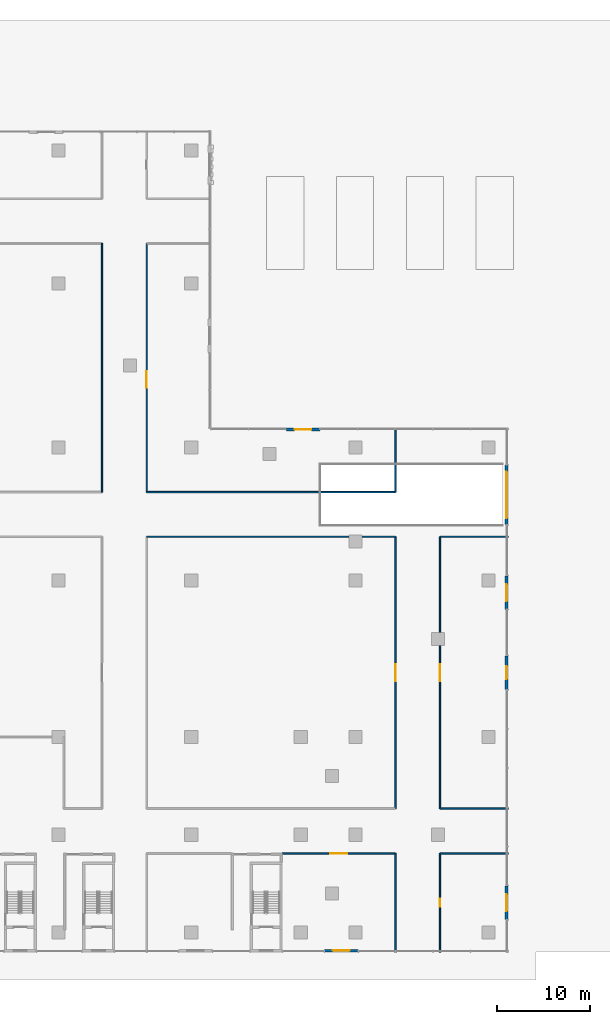
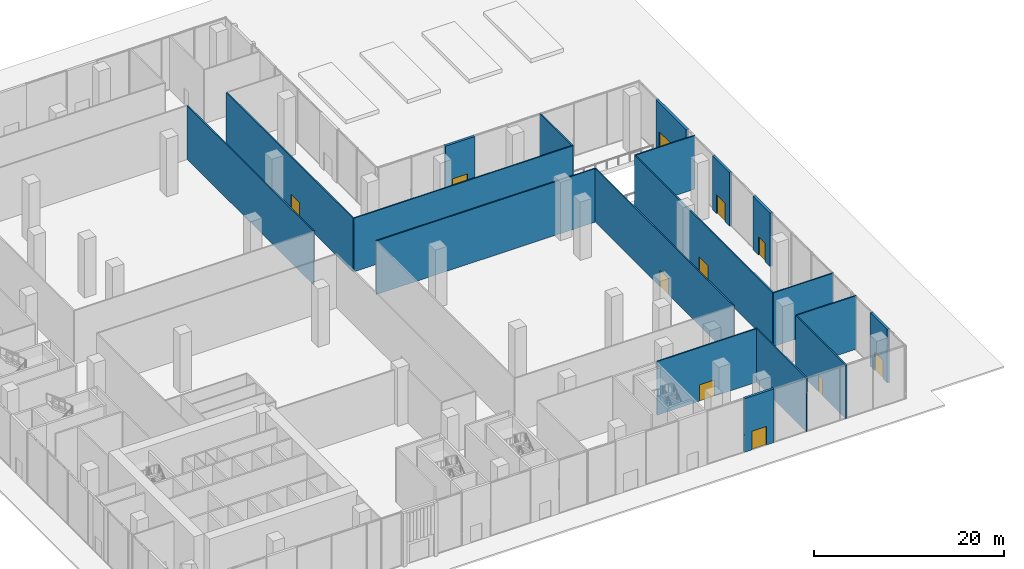
# One storey, part 17 of 26: 19 walls, 11 doors, 11 openings.
"""IFC4 building model written with IfcOpenShell, lengths in metres."""

from ifc_helpers import new_model, si_unit, direction, frame, frame_2d, origin, place, context, subcontext, project, spatial, rectangle, extrude, source, transform, mapped, material, layer, layer_set, type_object, element, fill, save


model = new_model("IFC4")

# Units and contexts
model_context = context("Model", 3, precision=1e-05, world=origin(), true_north=direction((0.0, 1.0)))
body_context = subcontext(model_context, "Body", "Model", "MODEL_VIEW")
ifc_project = project(units=[si_unit("LENGTHUNIT", "METRE"), si_unit("AREAUNIT", "SQUARE_METRE"), si_unit("VOLUMEUNIT", "CUBIC_METRE"), si_unit("PLANEANGLEUNIT", "RADIAN"), si_unit("MASSUNIT", "GRAM", prefix="KILO")], contexts=[model_context])

# Site, building, storey
site_placement = place(None, origin())
site = spatial("IfcSite", under=ifc_project, at=site_placement, CompositionType="ELEMENT")
building_placement = place(site_placement, origin())
building = spatial("IfcBuilding", under=site, at=building_placement, Name="Aurelian Terraces", CompositionType="ELEMENT")
storey_placement = place(building_placement, origin())
storey = spatial("IfcBuildingStorey", under=building, at=storey_placement, Name="L00", CompositionType="ELEMENT", Elevation=0.0)

# Wall, opening, door
ifc_material_1 = material(Name="Terracotta rainscreen cladding", Category="masonry")
ifc_layer_1 = layer(ifc_material_1, 0.3)
ifc_layer_set_1 = layer_set([ifc_layer_1], Name="EW-300")
wall_type_1 = type_object("IfcWallType", Name="EW-300", PredefinedType="STANDARD", material=ifc_layer_set_1)
wall_1_placement = place(storey_placement, frame((85.95, 43.8, 0.0), z_axis=(0.0, 0.0, 1.0), x_axis=(0.0, 1.0, 0.0)))
wall_1 = element("IfcWall", 1, at=wall_1_placement, inside=storey, type_object=wall_type_1, Name="Vehicle entrance wall L00 F02", PredefinedType="STANDARD", context=body_context, shape_type="SweptSolid", body=[
    extrude(rectangle(XDim=6.4, YDim=0.3, at=frame_2d((3.2, 0.0))), origin(), (0.0, 0.0, 1.0), 6.9),
])
opening_1_placement = place(wall_1_placement, frame((0.7, 0.0, 0.0)))
opening_1 = element("IfcOpeningElement", 2, at=opening_1_placement, cuts=wall_1, Name="Opening 80008", PredefinedType="OPENING", context=body_context, shape_type="SweptSolid", body=[
    extrude(rectangle(XDim=5.0, YDim=3.2, at=frame_2d((2.5, 1.6))), frame((0.0, 0.16, 0.0), z_axis=(0.0, -1.0, 0.0), x_axis=(1.0, 0.0, 0.0)), (0.0, 0.0, 1.0), 0.32),
])
ifc_material_2 = material(Name="Galvanised steel roller shutter", Category="steel")
door_type_1 = type_object("IfcDoorType", Name="RS-5000x3200", OperationType="ROLLINGUP", PredefinedType="DOOR", material=ifc_material_2)
door_1_placement = place(opening_1_placement, origin())
door_1 = element("IfcDoor", 3, at=door_1_placement, inside=storey, type_object=door_type_1, Name="Vehicle shutter L00 F02", OperationType="ROLLINGUP", OverallHeight=3.2, OverallWidth=5.0, PredefinedType="DOOR", context=body_context, shape_type="SweptSolid", body=[
    extrude(rectangle(XDim=5.0, YDim=3.2, at=frame_2d((2.5, 1.6))), frame((0.0, 0.025, 0.0), z_axis=(0.0, -1.0, 0.0), x_axis=(1.0, 0.0, 0.0)), (0.0, 0.0, 1.0), 0.05),
])
fill(opening_1, door_1)

ifc_material_3 = material(Name="Gypsum board on steel studs", Category="steel")
ifc_layer_2 = layer(ifc_material_3, 0.15)
ifc_layer_set_2 = layer_set([ifc_layer_2], Name="Special partition 150")
wall_type_2 = type_object("IfcWallType", Name="Special partition 150", PredefinedType="PARTITIONING", material=ifc_layer_set_2)
wall_2_placement = place(storey_placement, frame((61.85, 8.5, 0.0), z_axis=(0.0, 0.0, 1.0), x_axis=(1.0, 0.0, 0.0)))
wall_2 = element("IfcWall", 4, at=wall_2_placement, inside=storey, type_object=wall_type_2, Name="L00 partition W03", PredefinedType="PARTITIONING", context=body_context, shape_type="SweptSolid", body=[
    extrude(rectangle(XDim=12.15, YDim=0.15, at=frame_2d((6.075, 0.0))), origin(), (0.0, 0.0, 1.0), 6.9),
])
shared_shape_1 = source(origin(), body_context, "Body", "SweptSolid", [
    extrude(rectangle(XDim=1.8, YDim=2.1, at=frame_2d((0.9, 1.05))), frame((0.0, 0.085, 0.0), z_axis=(0.0, -1.0, 0.0), x_axis=(1.0, 0.0, 0.0)), (0.0, 0.0, 1.0), 0.17),
])
opening_2_placement = place(wall_2_placement, frame((5.175, 0.0, 0.0)))
opening_2 = element("IfcOpeningElement", 5, at=opening_2_placement, cuts=wall_2, Name="Opening 70302", PredefinedType="OPENING", context=body_context, shape_type="MappedRepresentation", body=[
    mapped(shared_shape_1, transform((0.0, 0.0, 0.0), scale=1.0)),
])
ifc_material_4 = material(Name="Timber door leaf", Category="wood")
door_type_2 = type_object("IfcDoorType", Name="Special double door 1800x2100", OperationType="DOUBLE_DOOR_SINGLE_SWING", PredefinedType="DOOR", material=ifc_material_4)
shared_shape_2 = source(origin(), body_context, "Body", "SweptSolid", [
    extrude(rectangle(XDim=1.8, YDim=2.1, at=frame_2d((0.9, 1.05))), frame((0.0, 0.025, 0.0), z_axis=(0.0, -1.0, 0.0), x_axis=(1.0, 0.0, 0.0)), (0.0, 0.0, 1.0), 0.05),
])
door_2_placement = place(opening_2_placement, origin())
door_2 = element("IfcDoor", 6, at=door_2_placement, inside=storey, type_object=door_type_2, Name="Door 70302", OperationType="DOUBLE_DOOR_SINGLE_SWING", OverallHeight=2.1, OverallWidth=1.8, PredefinedType="DOOR", context=body_context, shape_type="MappedRepresentation", body=[
    mapped(shared_shape_2, transform((0.0, 0.0, 0.0), scale=1.0)),
])
fill(opening_2, door_2)

# Wall
wall_3_placement = place(storey_placement, frame((78.8, 8.5, 0.0), z_axis=(0.0, 0.0, 1.0), x_axis=(1.0, 0.0, 0.0)))
element("IfcWall", 7, at=wall_3_placement, inside=storey, type_object=wall_type_2, Name="L00 partition W04", PredefinedType="PARTITIONING", context=body_context, shape_type="SweptSolid", body=[
    extrude(rectangle(XDim=7.3, YDim=0.15, at=frame_2d((3.65, 0.0))), origin(), (0.0, 0.0, 1.0), 6.9),
])

# Wall, opening, door
shared_shape_3 = source(origin(), body_context, "Body", "SweptSolid", [
    extrude(rectangle(XDim=3.6, YDim=0.3, at=frame_2d((1.8, 0.0))), origin(), (0.0, 0.0, 1.0), 6.9),
])
wall_4_placement = place(storey_placement, frame((66.4, -1.95, 0.0), z_axis=(0.0, 0.0, 1.0), x_axis=(1.0, 0.0, 0.0)))
wall_4 = element("IfcWall", 8, at=wall_4_placement, inside=storey, type_object=wall_type_1, Name="Entrance wall L00 F01", PredefinedType="STANDARD", context=body_context, shape_type="MappedRepresentation", body=[
    mapped(shared_shape_3, transform((0.0, 0.0, 0.0), scale=1.0)),
])
shared_shape_4 = source(origin(), body_context, "Body", "SweptSolid", [
    extrude(rectangle(XDim=1.8, YDim=2.4, at=frame_2d((0.9, 1.2))), frame((0.0, 0.16, 0.0), z_axis=(0.0, -1.0, 0.0), x_axis=(1.0, 0.0, 0.0)), (0.0, 0.0, 1.0), 0.32),
])
opening_3_placement = place(wall_4_placement, frame((0.9, 0.0, 0.0)))
opening_3 = element("IfcOpeningElement", 9, at=opening_3_placement, cuts=wall_4, Name="Opening 80004", PredefinedType="OPENING", context=body_context, shape_type="MappedRepresentation", body=[
    mapped(shared_shape_4, transform((0.0, 0.0, 0.0), scale=1.0)),
])
ifc_material_5 = material(Name="Clear glazing", Category="glass")
door_type_3 = type_object("IfcDoorType", Name="ED-1800x2400", OperationType="DOUBLE_DOOR_SINGLE_SWING", PredefinedType="DOOR", material=ifc_material_5)
shared_shape_5 = source(origin(), body_context, "Body", "SweptSolid", [
    extrude(rectangle(XDim=1.8, YDim=2.4, at=frame_2d((0.9, 1.2))), frame((0.0, 0.025, 0.0), z_axis=(0.0, -1.0, 0.0), x_axis=(1.0, 0.0, 0.0)), (0.0, 0.0, 1.0), 0.05),
])
door_3_placement = place(opening_3_placement, origin())
door_3 = element("IfcDoor", 10, at=door_3_placement, inside=storey, type_object=door_type_3, Name="Entrance door L00 F01", OperationType="DOUBLE_DOOR_SINGLE_SWING", OverallHeight=2.4, OverallWidth=1.8, PredefinedType="DOOR", context=body_context, shape_type="MappedRepresentation", body=[
    mapped(shared_shape_5, transform((0.0, 0.0, 0.0), scale=1.0)),
])
fill(opening_3, door_3)

wall_5_placement = place(storey_placement, frame((85.95, 1.4, 0.0), z_axis=(0.0, 0.0, 1.0), x_axis=(0.0, 1.0, 0.0)))
wall_5 = element("IfcWall", 11, at=wall_5_placement, inside=storey, type_object=wall_type_1, Name="Entrance wall L00 F02", PredefinedType="STANDARD", context=body_context, shape_type="MappedRepresentation", body=[
    mapped(shared_shape_3, transform((0.0, 0.0, 0.0), scale=1.0)),
])
opening_4_placement = place(wall_5_placement, frame((0.9, 0.0, 0.0)))
opening_4 = element("IfcOpeningElement", 12, at=opening_4_placement, cuts=wall_5, Name="Opening 80005", PredefinedType="OPENING", context=body_context, shape_type="MappedRepresentation", body=[
    mapped(shared_shape_4, transform((0.0, 0.0, 0.0), scale=1.0)),
])
door_4_placement = place(opening_4_placement, origin())
door_4 = element("IfcDoor", 13, at=door_4_placement, inside=storey, type_object=door_type_3, Name="Entrance door L00 F02", OperationType="DOUBLE_DOOR_SINGLE_SWING", OverallHeight=2.4, OverallWidth=1.8, PredefinedType="DOOR", context=body_context, shape_type="MappedRepresentation", body=[
    mapped(shared_shape_5, transform((0.0, 0.0, 0.0), scale=1.0)),
])
fill(opening_4, door_4)

wall_6_placement = place(storey_placement, frame((85.95, 26.1, 0.0), z_axis=(0.0, 0.0, 1.0), x_axis=(0.0, 1.0, 0.0)))
wall_6 = element("IfcWall", 14, at=wall_6_placement, inside=storey, type_object=wall_type_1, Name="Entrance wall L00 F02", PredefinedType="STANDARD", context=body_context, shape_type="MappedRepresentation", body=[
    mapped(shared_shape_3, transform((0.0, 0.0, 0.0), scale=1.0)),
])
opening_5_placement = place(wall_6_placement, frame((1.1, 0.0, 0.0)))
opening_5 = element("IfcOpeningElement", 15, at=opening_5_placement, cuts=wall_6, Name="Opening 80006", PredefinedType="OPENING", context=body_context, shape_type="SweptSolid", body=[
    extrude(rectangle(XDim=1.4, YDim=2.4, at=frame_2d((0.7, 1.2))), frame((0.0, 0.16, 0.0), z_axis=(0.0, -1.0, 0.0), x_axis=(1.0, 0.0, 0.0)), (0.0, 0.0, 1.0), 0.32),
])
door_type_4 = type_object("IfcDoorType", Name="ED-1400x2400", OperationType="DOUBLE_DOOR_SINGLE_SWING", PredefinedType="DOOR", material=ifc_material_5)
door_5_placement = place(opening_5_placement, origin())
door_5 = element("IfcDoor", 16, at=door_5_placement, inside=storey, type_object=door_type_4, Name="Entrance door L00 F02", OperationType="DOUBLE_DOOR_SINGLE_SWING", OverallHeight=2.4, OverallWidth=1.4, PredefinedType="DOOR", context=body_context, shape_type="SweptSolid", body=[
    extrude(rectangle(XDim=1.4, YDim=2.4, at=frame_2d((0.7, 1.2))), frame((0.0, 0.025, 0.0), z_axis=(0.0, -1.0, 0.0), x_axis=(1.0, 0.0, 0.0)), (0.0, 0.0, 1.0), 0.05),
])
fill(opening_5, door_5)

wall_7_placement = place(storey_placement, frame((85.95, 34.7, 0.0), z_axis=(0.0, 0.0, 1.0), x_axis=(0.0, 1.0, 0.0)))
wall_7 = element("IfcWall", 17, at=wall_7_placement, inside=storey, type_object=wall_type_1, Name="Entrance wall L00 F02", PredefinedType="STANDARD", context=body_context, shape_type="MappedRepresentation", body=[
    mapped(shared_shape_3, transform((0.0, 0.0, 0.0), scale=1.0)),
])
opening_6_placement = place(wall_7_placement, frame((0.9, 0.0, 0.0)))
opening_6 = element("IfcOpeningElement", 18, at=opening_6_placement, cuts=wall_7, Name="Opening 80007", PredefinedType="OPENING", context=body_context, shape_type="MappedRepresentation", body=[
    mapped(shared_shape_4, transform((0.0, 0.0, 0.0), scale=1.0)),
])
door_6_placement = place(opening_6_placement, origin())
door_6 = element("IfcDoor", 19, at=door_6_placement, inside=storey, type_object=door_type_3, Name="Entrance door L00 F02", OperationType="DOUBLE_DOOR_SINGLE_SWING", OverallHeight=2.4, OverallWidth=1.8, PredefinedType="DOOR", context=body_context, shape_type="MappedRepresentation", body=[
    mapped(shared_shape_5, transform((0.0, 0.0, 0.0), scale=1.0)),
])
fill(opening_6, door_6)

wall_8_placement = place(storey_placement, frame((65.89, 54.03, 0.0), z_axis=(0.0, 0.0, 1.0), x_axis=(-1.0, 0.0, 0.0)))
wall_8 = element("IfcWall", 20, at=wall_8_placement, inside=storey, type_object=wall_type_1, Name="Entrance wall L00 F03", PredefinedType="STANDARD", context=body_context, shape_type="MappedRepresentation", body=[
    mapped(shared_shape_3, transform((0.0, 0.0, 0.0), scale=1.0)),
])
opening_7_placement = place(wall_8_placement, frame((0.9, 0.0, 0.0)))
opening_7 = element("IfcOpeningElement", 21, at=opening_7_placement, cuts=wall_8, Name="Opening 80009", PredefinedType="OPENING", context=body_context, shape_type="MappedRepresentation", body=[
    mapped(shared_shape_4, transform((0.0, 0.0, 0.0), scale=1.0)),
])
door_7_placement = place(opening_7_placement, origin())
door_7 = element("IfcDoor", 22, at=door_7_placement, inside=storey, type_object=door_type_3, Name="Entrance door L00 F03", OperationType="DOUBLE_DOOR_SINGLE_SWING", OverallHeight=2.4, OverallWidth=1.8, PredefinedType="DOOR", context=body_context, shape_type="MappedRepresentation", body=[
    mapped(shared_shape_5, transform((0.0, 0.0, 0.0), scale=1.0)),
])
fill(opening_7, door_7)

# Walls
shared_shape_6 = source(origin(), body_context, "Body", "SweptSolid", [
    extrude(rectangle(XDim=7.3, YDim=0.15, at=frame_2d((3.65, 0.0))), origin(), (0.0, 0.0, 1.0), 6.9),
])
for number, where, z_axis, x_axis, name in (
    (23, (78.8, 13.3, 0.0), (0.0, 0.0, 1.0), (1.0, 0.0, 0.0), "L00 partition W07"),
    (24, (78.8, 42.5, 0.0), (0.0, 0.0, 1.0), (1.0, 0.0, 0.0), "L00 partition W15"),
):
    element("IfcWall", number, at=place(storey_placement, frame(where, z_axis=z_axis, x_axis=x_axis)), inside=storey, type_object=wall_type_2, Name=name, PredefinedType="PARTITIONING", context=body_context, shape_type="MappedRepresentation", body=[
        mapped(shared_shape_6, transform((0.0, 0.0, 0.0), scale=1.0)),
    ])
shared_shape_7 = source(origin(), body_context, "Body", "SweptSolid", [
    extrude(rectangle(XDim=26.7, YDim=0.15, at=frame_2d((13.35, 0.0))), origin(), (0.0, 0.0, 1.0), 6.9),
])
for number, where, z_axis, x_axis, name in (
    (25, (47.3, 42.5, 0.0), (0.0, 0.0, 1.0), (1.0, 0.0, 0.0), "L00 partition W14"),
    (26, (47.3, 47.3, 0.0), (0.0, 0.0, 1.0), (1.0, 0.0, 0.0), "L00 partition W18"),
    (27, (42.5, 47.3, 0.0), (0.0, 0.0, 1.0), (0.0, 1.0, 0.0), "L00 partition W38"),
):
    element("IfcWall", number, at=place(storey_placement, frame(where, z_axis=z_axis, x_axis=x_axis)), inside=storey, type_object=wall_type_2, Name=name, PredefinedType="PARTITIONING", context=body_context, shape_type="MappedRepresentation", body=[
        mapped(shared_shape_7, transform((0.0, 0.0, 0.0), scale=1.0)),
    ])

# Wall, opening, door
wall_9_placement = place(storey_placement, frame((47.3, 47.3, 0.0), z_axis=(0.0, 0.0, 1.0), x_axis=(0.0, 1.0, 0.0)))
wall_9 = element("IfcWall", 28, at=wall_9_placement, inside=storey, type_object=wall_type_2, Name="L00 partition W42", PredefinedType="PARTITIONING", context=body_context, shape_type="MappedRepresentation", body=[
    mapped(shared_shape_7, transform((0.0, 0.0, 0.0), scale=1.0)),
])
opening_8_placement = place(wall_9_placement, frame((11.2, 0.0, 0.0)))
opening_8 = element("IfcOpeningElement", 29, at=opening_8_placement, cuts=wall_9, Name="Opening 70313", PredefinedType="OPENING", context=body_context, shape_type="MappedRepresentation", body=[
    mapped(shared_shape_1, transform((0.0, 0.0, 0.0), scale=1.0)),
])
door_8_placement = place(opening_8_placement, origin())
door_8 = element("IfcDoor", 30, at=door_8_placement, inside=storey, type_object=door_type_2, Name="Door 70313", OperationType="DOUBLE_DOOR_SINGLE_SWING", OverallHeight=2.1, OverallWidth=1.8, PredefinedType="DOOR", context=body_context, shape_type="MappedRepresentation", body=[
    mapped(shared_shape_2, transform((0.0, 0.0, 0.0), scale=1.0)),
])
fill(opening_8, door_8)

shared_shape_8 = source(origin(), body_context, "Body", "SweptSolid", [
    extrude(rectangle(XDim=29.2, YDim=0.15, at=frame_2d((14.6, 0.0))), origin(), (0.0, 0.0, 1.0), 6.9),
])
wall_10_placement = place(storey_placement, frame((74.0, 13.3, 0.0), z_axis=(0.0, 0.0, 1.0), x_axis=(0.0, 1.0, 0.0)))
wall_10 = element("IfcWall", 31, at=wall_10_placement, inside=storey, type_object=wall_type_2, Name="L00 partition W45", PredefinedType="PARTITIONING", context=body_context, shape_type="MappedRepresentation", body=[
    mapped(shared_shape_8, transform((0.0, 0.0, 0.0), scale=1.0)),
])
opening_9_placement = place(wall_10_placement, frame((13.7, 0.0, 0.0)))
opening_9 = element("IfcOpeningElement", 32, at=opening_9_placement, cuts=wall_10, Name="Opening 70315", PredefinedType="OPENING", context=body_context, shape_type="MappedRepresentation", body=[
    mapped(shared_shape_1, transform((0.0, 0.0, 0.0), scale=1.0)),
])
door_9_placement = place(opening_9_placement, origin())
door_9 = element("IfcDoor", 33, at=door_9_placement, inside=storey, type_object=door_type_2, Name="Door 70315", OperationType="DOUBLE_DOOR_SINGLE_SWING", OverallHeight=2.1, OverallWidth=1.8, PredefinedType="DOOR", context=body_context, shape_type="MappedRepresentation", body=[
    mapped(shared_shape_2, transform((0.0, 0.0, 0.0), scale=1.0)),
])
fill(opening_9, door_9)

wall_11_placement = place(storey_placement, frame((78.8, 13.3, 0.0), z_axis=(0.0, 0.0, 1.0), x_axis=(0.0, 1.0, 0.0)))
wall_11 = element("IfcWall", 34, at=wall_11_placement, inside=storey, type_object=wall_type_2, Name="L00 partition W48", PredefinedType="PARTITIONING", context=body_context, shape_type="MappedRepresentation", body=[
    mapped(shared_shape_8, transform((0.0, 0.0, 0.0), scale=1.0)),
])
opening_10_placement = place(wall_11_placement, frame((13.7, 0.0, 0.0)))
opening_10 = element("IfcOpeningElement", 35, at=opening_10_placement, cuts=wall_11, Name="Opening 70317", PredefinedType="OPENING", context=body_context, shape_type="MappedRepresentation", body=[
    mapped(shared_shape_1, transform((0.0, 0.0, 0.0), scale=1.0)),
])
door_10_placement = place(opening_10_placement, origin())
door_10 = element("IfcDoor", 36, at=door_10_placement, inside=storey, type_object=door_type_2, Name="Door 70317", OperationType="DOUBLE_DOOR_SINGLE_SWING", OverallHeight=2.1, OverallWidth=1.8, PredefinedType="DOOR", context=body_context, shape_type="MappedRepresentation", body=[
    mapped(shared_shape_2, transform((0.0, 0.0, 0.0), scale=1.0)),
])
fill(opening_10, door_10)

# Wall
shared_shape_9 = source(origin(), body_context, "Body", "SweptSolid", [
    extrude(rectangle(XDim=10.6, YDim=0.15, at=frame_2d((5.3, 0.0))), origin(), (0.0, 0.0, 1.0), 6.9),
])
wall_12_placement = place(storey_placement, frame((74.0, -2.1, 0.0), z_axis=(0.0, 0.0, 1.0), x_axis=(0.0, 1.0, 0.0)))
element("IfcWall", 37, at=wall_12_placement, inside=storey, type_object=wall_type_2, Name="L00 partition W44", PredefinedType="PARTITIONING", context=body_context, shape_type="MappedRepresentation", body=[
    mapped(shared_shape_9, transform((0.0, 0.0, 0.0), scale=1.0)),
])

# Wall, opening, door
wall_13_placement = place(storey_placement, frame((78.8, -2.1, 0.0), z_axis=(0.0, 0.0, 1.0), x_axis=(0.0, 1.0, 0.0)))
wall_13 = element("IfcWall", 38, at=wall_13_placement, inside=storey, type_object=wall_type_2, Name="L00 partition W47", PredefinedType="PARTITIONING", context=body_context, shape_type="MappedRepresentation", body=[
    mapped(shared_shape_9, transform((0.0, 0.0, 0.0), scale=1.0)),
])
shared_shape_10 = source(origin(), body_context, "Body", "SweptSolid", [
    extrude(rectangle(XDim=0.9, YDim=2.1, at=frame_2d((0.45, 1.05))), frame((0.0, 0.085, 0.0), z_axis=(0.0, -1.0, 0.0), x_axis=(1.0, 0.0, 0.0)), (0.0, 0.0, 1.0), 0.17),
])
opening_11_placement = place(wall_13_placement, frame((4.85, 0.0, 0.0)))
opening_11 = element("IfcOpeningElement", 39, at=opening_11_placement, cuts=wall_13, Name="Opening 70316", PredefinedType="OPENING", context=body_context, shape_type="MappedRepresentation", body=[
    mapped(shared_shape_10, transform((0.0, 0.0, 0.0), scale=1.0)),
])
door_type_5 = type_object("IfcDoorType", Name="Special door 900x2100", OperationType="SINGLE_SWING_LEFT", PredefinedType="DOOR", material=ifc_material_4)
shared_shape_11 = source(origin(), body_context, "Body", "SweptSolid", [
    extrude(rectangle(XDim=0.9, YDim=2.1, at=frame_2d((0.45, 1.05))), frame((0.0, 0.025, 0.0), z_axis=(0.0, -1.0, 0.0), x_axis=(1.0, 0.0, 0.0)), (0.0, 0.0, 1.0), 0.05),
])
door_11_placement = place(opening_11_placement, origin())
door_11 = element("IfcDoor", 40, at=door_11_placement, inside=storey, type_object=door_type_5, Name="Door 70316", OperationType="SINGLE_SWING_LEFT", OverallHeight=2.1, OverallWidth=0.9, PredefinedType="DOOR", context=body_context, shape_type="MappedRepresentation", body=[
    mapped(shared_shape_11, transform((0.0, 0.0, 0.0), scale=1.0)),
])
fill(opening_11, door_11)

# Wall
shared_shape_12 = source(origin(), body_context, "Body", "SweptSolid", [
    extrude(rectangle(XDim=6.88, YDim=0.15, at=frame_2d((3.44, 0.0))), origin(), (0.0, 0.0, 1.0), 6.9),
])
wall_14_placement = place(storey_placement, frame((74.0, 47.3, 0.0), z_axis=(0.0, 0.0, 1.0), x_axis=(0.0, 1.0, 0.0)))
element("IfcWall", 41, at=wall_14_placement, inside=storey, type_object=wall_type_2, Name="L00 partition W46", PredefinedType="PARTITIONING", context=body_context, shape_type="MappedRepresentation", body=[
    mapped(shared_shape_12, transform((0.0, 0.0, 0.0), scale=1.0)),
])

save(model, "model.ifc")
